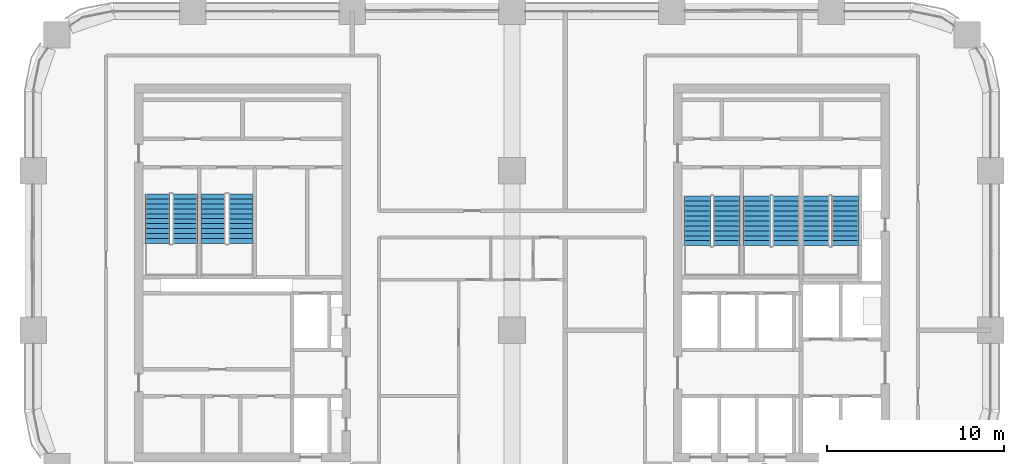
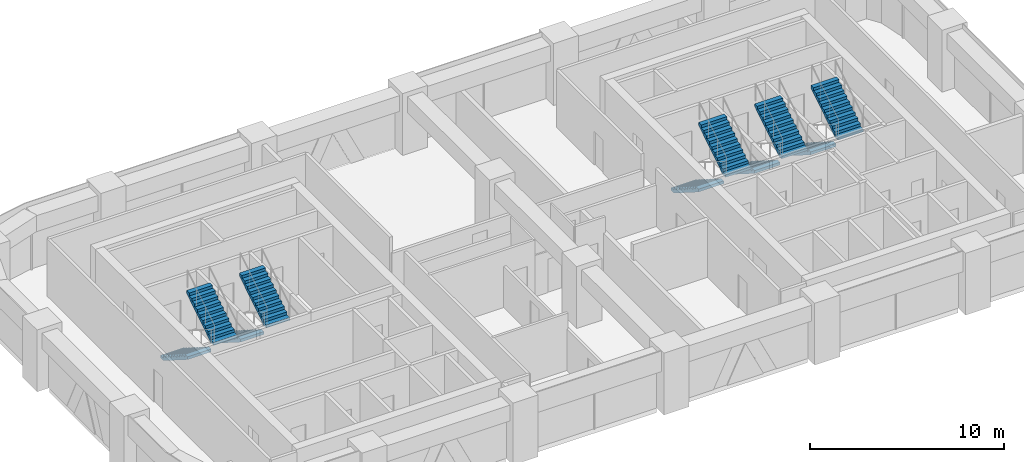
# One storey, part 11 of 18: 10 stair flights, 5 elements without a shape of their own.
"""IFC4 building model written with IfcOpenShell, lengths in metres."""

from ifc_helpers import new_model, si_unit, direction, frame, origin, place, context, subcontext, project, spatial, polyline, outline, extrude, material, type_object, element, aggregate, save


model = new_model("IFC4")

# Units and contexts
model_context = context("Model", 3, precision=1e-05, world=origin(), true_north=direction((0.0, 1.0)))
body_context = subcontext(model_context, "Body", "Model", "MODEL_VIEW")
ifc_project = project(units=[si_unit("LENGTHUNIT", "METRE"), si_unit("AREAUNIT", "SQUARE_METRE"), si_unit("VOLUMEUNIT", "CUBIC_METRE"), si_unit("PLANEANGLEUNIT", "RADIAN"), si_unit("MASSUNIT", "GRAM", prefix="KILO")], contexts=[model_context])

# Site, building, storey
site_placement = place(None, origin())
site = spatial("IfcSite", under=ifc_project, at=site_placement, CompositionType="ELEMENT")
building_placement = place(site_placement, origin())
building = spatial("IfcBuilding", under=site, at=building_placement, Name="Tessera Arch", CompositionType="ELEMENT")
storey_placement = place(building_placement, frame((0.0, 0.0, 154.39990234375)))
storey = spatial("IfcBuildingStorey", under=building, at=storey_placement, Name="L36", CompositionType="ELEMENT", Elevation=154.39990234375)

# Stair, stair flights
ifc_material_1 = material(Name="Concrete C40/50", Category="concrete")
stair_type_1 = type_object("IfcStairType", Name="Dogleg stair 1400", PredefinedType="HALF_TURN_STAIR", material=ifc_material_1)
stair_1_placement = place(storey_placement, origin())
stair_1 = element("IfcStair", 1, at=stair_1_placement, inside=storey, type_object=stair_type_1, Name="L36 S2a", PredefinedType="HALF_TURN_STAIR")
ifc_material_2 = material(Name="Concrete C40/50", Category="concrete")
stair_flight_type_1 = type_object("IfcStairFlightType", Name="Stair flight 1400", PredefinedType="STRAIGHT", material=ifc_material_2)
stair_flight_1_placement = place(storey_placement, frame((7.0, 43.699951171875, 0.0), z_axis=(0.0, 0.0, 1.0), x_axis=(0.0, -1.0, 0.0)))
stair_flight_1 = element("IfcStairFlight", 2, at=stair_flight_1_placement, type_object=stair_flight_type_1, Name="S2a flight 1", NumberOfRisers=11, NumberOfTreads=10, PredefinedType="STRAIGHT", RiserHeight=0.177272727, TreadLength=0.28, context=body_context, shape_type="SweptSolid", body=[
    extrude(outline(polyline([(0.0, 0.0), (0.0, 0.17724609375), (0.280029296875, 0.17724609375), (0.280029296875, 0.3544921875), (0.56005859375, 0.3544921875), (0.56005859375, 0.53173828125), (0.840087890625, 0.53173828125), (0.840087890625, 0.708984375), (1.1201171875, 0.708984375), (1.1201171875, 0.886474609375), (1.39990234375, 0.886474609375), (1.39990234375, 1.063720703125), (1.679931640625, 1.063720703125), (1.679931640625, 1.240966796875), (1.9599609375, 1.240966796875), (1.9599609375, 1.418212890625), (2.239990234375, 1.418212890625), (2.239990234375, 1.595458984375), (2.52001953125, 1.595458984375), (2.52001953125, 1.772705078125), (2.800048828125, 1.772705078125), (2.800048828125, 1.949951171875), (2.800048828125, 1.59521484375), (0.2802734375, 0.0), (0.0, 0.0)])), frame((0.0, 0.699951171875, 0.0), z_axis=(0.0, -1.0, 0.0), x_axis=(1.0, 0.0, 0.0)), (0.0, 0.0, 1.0), 1.39990234375),
])
stair_flight_2_placement = place(storey_placement, frame((8.550048828125, 40.89990234375, 1.9501953125), z_axis=(0.0, 0.0, 1.0), x_axis=(0.0, 1.0, 0.0)))
stair_flight_2 = element("IfcStairFlight", 3, at=stair_flight_2_placement, type_object=stair_flight_type_1, Name="S2a flight 2", NumberOfRisers=11, NumberOfTreads=10, PredefinedType="STRAIGHT", RiserHeight=0.177272727, TreadLength=0.28, context=body_context, shape_type="SweptSolid", body=[
    extrude(outline(polyline([(0.0, 0.0), (0.0, 0.17724609375), (0.280029296875, 0.17724609375), (0.280029296875, 0.3544921875), (0.56005859375, 0.3544921875), (0.56005859375, 0.53173828125), (0.840087890625, 0.53173828125), (0.840087890625, 0.708984375), (1.1201171875, 0.708984375), (1.1201171875, 0.886474609375), (1.39990234375, 0.886474609375), (1.39990234375, 1.063720703125), (1.679931640625, 1.063720703125), (1.679931640625, 1.240966796875), (1.9599609375, 1.240966796875), (1.9599609375, 1.418212890625), (2.239990234375, 1.418212890625), (2.239990234375, 1.595458984375), (2.52001953125, 1.595458984375), (2.52001953125, 1.772705078125), (2.800048828125, 1.772705078125), (2.800048828125, 1.949951171875), (2.800048828125, 1.59521484375), (0.2802734375, 0.0), (0.0, 0.0)])), frame((0.0, 0.699951171875, 0.0), z_axis=(0.0, -1.0, 0.0), x_axis=(1.0, 0.0, 0.0)), (0.0, 0.0, 1.0), 1.39990234375),
])
aggregate(stair_1, [stair_flight_1, stair_flight_2])

stair_2_placement = place(storey_placement, origin())
stair_2 = element("IfcStair", 4, at=stair_2_placement, inside=storey, type_object=stair_type_1, Name="L36 S2b", PredefinedType="HALF_TURN_STAIR")
stair_flight_3_placement = place(storey_placement, frame((10.14990234375, 43.699951171875, 0.0), z_axis=(0.0, 0.0, 1.0), x_axis=(0.0, -1.0, 0.0)))
stair_flight_3 = element("IfcStairFlight", 5, at=stair_flight_3_placement, type_object=stair_flight_type_1, Name="S2b flight 1", NumberOfRisers=11, NumberOfTreads=10, PredefinedType="STRAIGHT", RiserHeight=0.177272727, TreadLength=0.28, context=body_context, shape_type="SweptSolid", body=[
    extrude(outline(polyline([(0.0, 0.0), (0.0, 0.17724609375), (0.280029296875, 0.17724609375), (0.280029296875, 0.3544921875), (0.56005859375, 0.3544921875), (0.56005859375, 0.53173828125), (0.840087890625, 0.53173828125), (0.840087890625, 0.708984375), (1.1201171875, 0.708984375), (1.1201171875, 0.886474609375), (1.39990234375, 0.886474609375), (1.39990234375, 1.063720703125), (1.679931640625, 1.063720703125), (1.679931640625, 1.240966796875), (1.9599609375, 1.240966796875), (1.9599609375, 1.418212890625), (2.239990234375, 1.418212890625), (2.239990234375, 1.595458984375), (2.52001953125, 1.595458984375), (2.52001953125, 1.772705078125), (2.800048828125, 1.772705078125), (2.800048828125, 1.949951171875), (2.800048828125, 1.59521484375), (0.2802734375, 0.0), (0.0, 0.0)])), frame((0.0, 0.699951171875, 0.0), z_axis=(0.0, -1.0, 0.0), x_axis=(1.0, 0.0, 0.0)), (0.0, 0.0, 1.0), 1.39990234375),
])
stair_flight_4_placement = place(storey_placement, frame((11.699951171875, 40.89990234375, 1.9501953125), z_axis=(0.0, 0.0, 1.0), x_axis=(0.0, 1.0, 0.0)))
stair_flight_4 = element("IfcStairFlight", 6, at=stair_flight_4_placement, type_object=stair_flight_type_1, Name="S2b flight 2", NumberOfRisers=11, NumberOfTreads=10, PredefinedType="STRAIGHT", RiserHeight=0.177272727, TreadLength=0.28, context=body_context, shape_type="SweptSolid", body=[
    extrude(outline(polyline([(0.0, 0.0), (0.0, 0.17724609375), (0.280029296875, 0.17724609375), (0.280029296875, 0.3544921875), (0.56005859375, 0.3544921875), (0.56005859375, 0.53173828125), (0.840087890625, 0.53173828125), (0.840087890625, 0.708984375), (1.1201171875, 0.708984375), (1.1201171875, 0.886474609375), (1.39990234375, 0.886474609375), (1.39990234375, 1.063720703125), (1.679931640625, 1.063720703125), (1.679931640625, 1.240966796875), (1.9599609375, 1.240966796875), (1.9599609375, 1.418212890625), (2.239990234375, 1.418212890625), (2.239990234375, 1.595458984375), (2.52001953125, 1.595458984375), (2.52001953125, 1.772705078125), (2.800048828125, 1.772705078125), (2.800048828125, 1.949951171875), (2.800048828125, 1.59521484375), (0.2802734375, 0.0), (0.0, 0.0)])), frame((0.0, 0.699951171875, 0.0), z_axis=(0.0, -1.0, 0.0), x_axis=(1.0, 0.0, 0.0)), (0.0, 0.0, 1.0), 1.39990234375),
])
aggregate(stair_2, [stair_flight_3, stair_flight_4])

ifc_material_3 = material(Name="Concrete C40/50", Category="concrete")
stair_type_2 = type_object("IfcStairType", Name="Dogleg stair 1520", PredefinedType="HALF_TURN_STAIR", material=ifc_material_3)
stair_3_placement = place(storey_placement, origin())
stair_3 = element("IfcStair", 7, at=stair_3_placement, inside=storey, type_object=stair_type_2, Name="L36 S1a", PredefinedType="HALF_TURN_STAIR")
ifc_material_4 = material(Name="Concrete C40/50", Category="concrete")
stair_flight_type_2 = type_object("IfcStairFlightType", Name="Stair flight 1520", PredefinedType="STRAIGHT", material=ifc_material_4)
stair_flight_5_placement = place(storey_placement, frame((37.4599609375, 43.580078125, 0.0), z_axis=(0.0, 0.0, 1.0), x_axis=(0.0, -1.0, 0.0)))
stair_flight_5 = element("IfcStairFlight", 8, at=stair_flight_5_placement, type_object=stair_flight_type_2, Name="S1a flight 1", NumberOfRisers=11, NumberOfTreads=10, PredefinedType="STRAIGHT", RiserHeight=0.177272727, TreadLength=0.28, context=body_context, shape_type="SweptSolid", body=[
    extrude(outline(polyline([(0.0, 0.0), (0.0, 0.17724609375), (0.280029296875, 0.17724609375), (0.280029296875, 0.3544921875), (0.56005859375, 0.3544921875), (0.56005859375, 0.53173828125), (0.840087890625, 0.53173828125), (0.840087890625, 0.708984375), (1.1201171875, 0.708984375), (1.1201171875, 0.886474609375), (1.39990234375, 0.886474609375), (1.39990234375, 1.063720703125), (1.679931640625, 1.063720703125), (1.679931640625, 1.240966796875), (1.9599609375, 1.240966796875), (1.9599609375, 1.418212890625), (2.239990234375, 1.418212890625), (2.239990234375, 1.595458984375), (2.52001953125, 1.595458984375), (2.52001953125, 1.772705078125), (2.800048828125, 1.772705078125), (2.800048828125, 1.949951171875), (2.800048828125, 1.59521484375), (0.2802734375, 0.0), (0.0, 0.0)])), frame((0.0, 0.760009765625, 0.0), z_axis=(0.0, -1.0, 0.0), x_axis=(1.0, 0.0, 0.0)), (0.0, 0.0, 1.0), 1.52001953125),
])
stair_flight_6_placement = place(storey_placement, frame((39.090087890625, 40.780029296875, 1.9501953125), z_axis=(0.0, 0.0, 1.0), x_axis=(0.0, 1.0, 0.0)))
stair_flight_6 = element("IfcStairFlight", 9, at=stair_flight_6_placement, type_object=stair_flight_type_2, Name="S1a flight 2", NumberOfRisers=11, NumberOfTreads=10, PredefinedType="STRAIGHT", RiserHeight=0.177272727, TreadLength=0.28, context=body_context, shape_type="SweptSolid", body=[
    extrude(outline(polyline([(0.0, 0.0), (0.0, 0.17724609375), (0.280029296875, 0.17724609375), (0.280029296875, 0.3544921875), (0.56005859375, 0.3544921875), (0.56005859375, 0.53173828125), (0.840087890625, 0.53173828125), (0.840087890625, 0.708984375), (1.1201171875, 0.708984375), (1.1201171875, 0.886474609375), (1.39990234375, 0.886474609375), (1.39990234375, 1.063720703125), (1.679931640625, 1.063720703125), (1.679931640625, 1.240966796875), (1.9599609375, 1.240966796875), (1.9599609375, 1.418212890625), (2.239990234375, 1.418212890625), (2.239990234375, 1.595458984375), (2.52001953125, 1.595458984375), (2.52001953125, 1.772705078125), (2.800048828125, 1.772705078125), (2.800048828125, 1.949951171875), (2.800048828125, 1.59521484375), (0.2802734375, 0.0), (0.0, 0.0)])), frame((0.0, 0.760009765625, 0.0), z_axis=(0.0, -1.0, 0.0), x_axis=(1.0, 0.0, 0.0)), (0.0, 0.0, 1.0), 1.52001953125),
])
aggregate(stair_3, [stair_flight_5, stair_flight_6])

stair_4_placement = place(storey_placement, origin())
stair_4 = element("IfcStair", 10, at=stair_4_placement, inside=storey, type_object=stair_type_2, Name="L36 S1b", PredefinedType="HALF_TURN_STAIR")
stair_flight_7_placement = place(storey_placement, frame((40.81005859375, 43.580078125, 0.0), z_axis=(0.0, 0.0, 1.0), x_axis=(0.0, -1.0, 0.0)))
stair_flight_7 = element("IfcStairFlight", 11, at=stair_flight_7_placement, type_object=stair_flight_type_2, Name="S1b flight 1", NumberOfRisers=11, NumberOfTreads=10, PredefinedType="STRAIGHT", RiserHeight=0.177272727, TreadLength=0.28, context=body_context, shape_type="SweptSolid", body=[
    extrude(outline(polyline([(0.0, 0.0), (0.0, 0.17724609375), (0.280029296875, 0.17724609375), (0.280029296875, 0.3544921875), (0.56005859375, 0.3544921875), (0.56005859375, 0.53173828125), (0.840087890625, 0.53173828125), (0.840087890625, 0.708984375), (1.1201171875, 0.708984375), (1.1201171875, 0.886474609375), (1.39990234375, 0.886474609375), (1.39990234375, 1.063720703125), (1.679931640625, 1.063720703125), (1.679931640625, 1.240966796875), (1.9599609375, 1.240966796875), (1.9599609375, 1.418212890625), (2.239990234375, 1.418212890625), (2.239990234375, 1.595458984375), (2.52001953125, 1.595458984375), (2.52001953125, 1.772705078125), (2.800048828125, 1.772705078125), (2.800048828125, 1.949951171875), (2.800048828125, 1.59521484375), (0.2802734375, 0.0), (0.0, 0.0)])), frame((0.0, 0.760009765625, 0.0), z_axis=(0.0, -1.0, 0.0), x_axis=(1.0, 0.0, 0.0)), (0.0, 0.0, 1.0), 1.52001953125),
])
stair_flight_8_placement = place(storey_placement, frame((42.43994140625, 40.780029296875, 1.9501953125), z_axis=(0.0, 0.0, 1.0), x_axis=(0.0, 1.0, 0.0)))
stair_flight_8 = element("IfcStairFlight", 12, at=stair_flight_8_placement, type_object=stair_flight_type_2, Name="S1b flight 2", NumberOfRisers=11, NumberOfTreads=10, PredefinedType="STRAIGHT", RiserHeight=0.177272727, TreadLength=0.28, context=body_context, shape_type="SweptSolid", body=[
    extrude(outline(polyline([(0.0, 0.0), (0.0, 0.17724609375), (0.280029296875, 0.17724609375), (0.280029296875, 0.3544921875), (0.56005859375, 0.3544921875), (0.56005859375, 0.53173828125), (0.840087890625, 0.53173828125), (0.840087890625, 0.708984375), (1.1201171875, 0.708984375), (1.1201171875, 0.886474609375), (1.39990234375, 0.886474609375), (1.39990234375, 1.063720703125), (1.679931640625, 1.063720703125), (1.679931640625, 1.240966796875), (1.9599609375, 1.240966796875), (1.9599609375, 1.418212890625), (2.239990234375, 1.418212890625), (2.239990234375, 1.595458984375), (2.52001953125, 1.595458984375), (2.52001953125, 1.772705078125), (2.800048828125, 1.772705078125), (2.800048828125, 1.949951171875), (2.800048828125, 1.59521484375), (0.2802734375, 0.0), (0.0, 0.0)])), frame((0.0, 0.760009765625, 0.0), z_axis=(0.0, -1.0, 0.0), x_axis=(1.0, 0.0, 0.0)), (0.0, 0.0, 1.0), 1.52001953125),
])
aggregate(stair_4, [stair_flight_7, stair_flight_8])

stair_5_placement = place(storey_placement, origin())
stair_5 = element("IfcStair", 13, at=stair_5_placement, inside=storey, type_object=stair_type_2, Name="L36 S1c", PredefinedType="HALF_TURN_STAIR")
stair_flight_9_placement = place(storey_placement, frame((44.159912109375, 43.580078125, 0.0), z_axis=(0.0, 0.0, 1.0), x_axis=(0.0, -1.0, 0.0)))
stair_flight_9 = element("IfcStairFlight", 14, at=stair_flight_9_placement, type_object=stair_flight_type_2, Name="S1c flight 1", NumberOfRisers=11, NumberOfTreads=10, PredefinedType="STRAIGHT", RiserHeight=0.177272727, TreadLength=0.28, context=body_context, shape_type="SweptSolid", body=[
    extrude(outline(polyline([(0.0, 0.0), (0.0, 0.17724609375), (0.280029296875, 0.17724609375), (0.280029296875, 0.3544921875), (0.56005859375, 0.3544921875), (0.56005859375, 0.53173828125), (0.840087890625, 0.53173828125), (0.840087890625, 0.708984375), (1.1201171875, 0.708984375), (1.1201171875, 0.886474609375), (1.39990234375, 0.886474609375), (1.39990234375, 1.063720703125), (1.679931640625, 1.063720703125), (1.679931640625, 1.240966796875), (1.9599609375, 1.240966796875), (1.9599609375, 1.418212890625), (2.239990234375, 1.418212890625), (2.239990234375, 1.595458984375), (2.52001953125, 1.595458984375), (2.52001953125, 1.772705078125), (2.800048828125, 1.772705078125), (2.800048828125, 1.949951171875), (2.800048828125, 1.59521484375), (0.2802734375, 0.0), (0.0, 0.0)])), frame((0.0, 0.760009765625, 0.0), z_axis=(0.0, -1.0, 0.0), x_axis=(1.0, 0.0, 0.0)), (0.0, 0.0, 1.0), 1.52001953125),
])
stair_flight_10_placement = place(storey_placement, frame((45.7900390625, 40.780029296875, 1.9501953125), z_axis=(0.0, 0.0, 1.0), x_axis=(0.0, 1.0, 0.0)))
stair_flight_10 = element("IfcStairFlight", 15, at=stair_flight_10_placement, type_object=stair_flight_type_2, Name="S1c flight 2", NumberOfRisers=11, NumberOfTreads=10, PredefinedType="STRAIGHT", RiserHeight=0.177272727, TreadLength=0.28, context=body_context, shape_type="SweptSolid", body=[
    extrude(outline(polyline([(0.0, 0.0), (0.0, 0.17724609375), (0.280029296875, 0.17724609375), (0.280029296875, 0.3544921875), (0.56005859375, 0.3544921875), (0.56005859375, 0.53173828125), (0.840087890625, 0.53173828125), (0.840087890625, 0.708984375), (1.1201171875, 0.708984375), (1.1201171875, 0.886474609375), (1.39990234375, 0.886474609375), (1.39990234375, 1.063720703125), (1.679931640625, 1.063720703125), (1.679931640625, 1.240966796875), (1.9599609375, 1.240966796875), (1.9599609375, 1.418212890625), (2.239990234375, 1.418212890625), (2.239990234375, 1.595458984375), (2.52001953125, 1.595458984375), (2.52001953125, 1.772705078125), (2.800048828125, 1.772705078125), (2.800048828125, 1.949951171875), (2.800048828125, 1.59521484375), (0.2802734375, 0.0), (0.0, 0.0)])), frame((0.0, 0.760009765625, 0.0), z_axis=(0.0, -1.0, 0.0), x_axis=(1.0, 0.0, 0.0)), (0.0, 0.0, 1.0), 1.52001953125),
])
aggregate(stair_5, [stair_flight_9, stair_flight_10])

save(model, "model.ifc")
